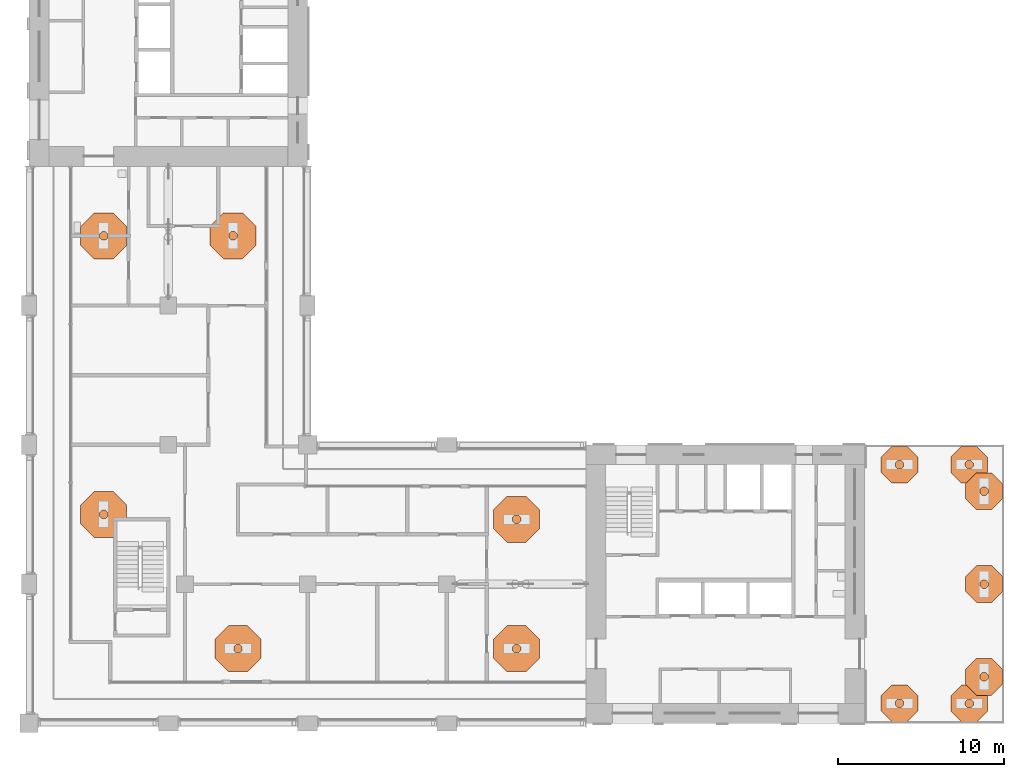
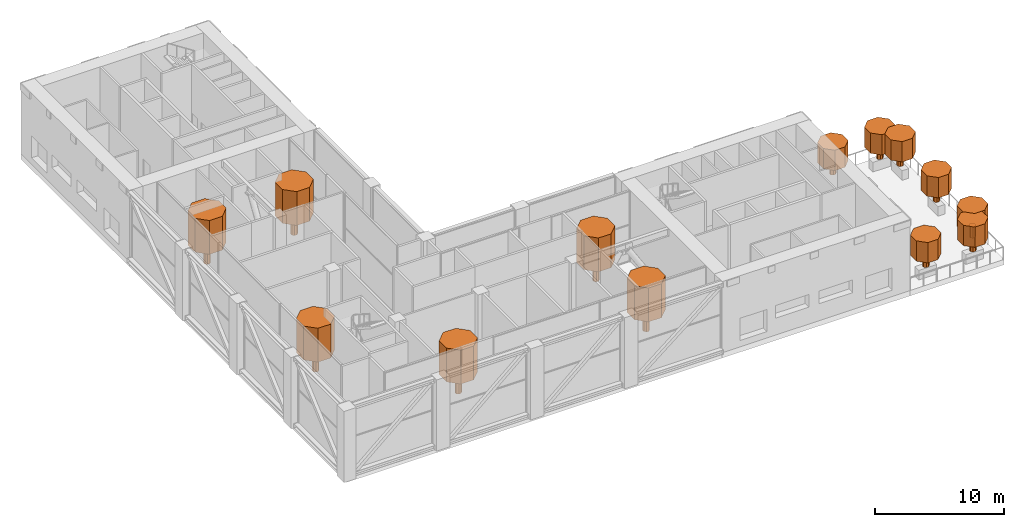
# One storey, part 20 of 20: 26 geographic elements.
"""IFC4 building model written with IfcOpenShell, lengths in metres."""

from ifc_helpers import new_model, si_unit, direction, frame, origin, place, context, subcontext, project, spatial, polyline, outline, extrude, material, element, save


model = new_model("IFC4")

# Units and contexts
model_context = context("Model", 3, precision=1e-05, world=origin(), true_north=direction((0.0, 1.0)))
body_context = subcontext(model_context, "Body", "Model", "MODEL_VIEW")
ifc_project = project(units=[si_unit("LENGTHUNIT", "METRE"), si_unit("AREAUNIT", "SQUARE_METRE"), si_unit("VOLUMEUNIT", "CUBIC_METRE"), si_unit("PLANEANGLEUNIT", "RADIAN"), si_unit("MASSUNIT", "GRAM", prefix="KILO")], contexts=[model_context])

# Site, building, storey
site_placement = place(None, origin())
site = spatial("IfcSite", under=ifc_project, at=site_placement, CompositionType="ELEMENT")
building_placement = place(site_placement, origin())
building = spatial("IfcBuilding", under=site, at=building_placement, Name="Vermilion Gate Residences", CompositionType="ELEMENT")
storey_placement = place(building_placement, frame((0.0, 0.0, 207.199951171875)))
storey = spatial("IfcBuildingStorey", under=building, at=storey_placement, Name="L54", CompositionType="ELEMENT", Elevation=207.199951171875)

# Geographic elements
ifc_material = material(Name="Foliage")
geographic_element_1_placement = place(storey_placement, frame((0.0, 0.0, 0.900146484375)))
element("IfcGeographicElement", 1, at=geographic_element_1_placement, inside=storey, material=ifc_material, Name="Tree (black pine)", ObjectType="TREE", PredefinedType="USERDEFINED", context=body_context, shape_type="SweptSolid", body=[
    extrude(outline(polyline([(65.35400390625, 24.105224609375), (65.205078125, 24.254150390625), (64.994873046875, 24.254150390625), (64.845947265625, 24.105224609375), (64.845947265625, 23.894775390625), (64.994873046875, 23.745849609375), (65.205078125, 23.745849609375), (65.35400390625, 23.894775390625), (65.35400390625, 24.105224609375)])), origin(), (0.0, 0.0, 1.0), 1.079833984375),
])
geographic_element_2_placement = place(storey_placement, frame((0.0, 0.0, 1.97998046875)))
element("IfcGeographicElement", 2, at=geographic_element_2_placement, inside=storey, material=ifc_material, Name="Tree crown (black pine)", ObjectType="TREE", PredefinedType="USERDEFINED", context=body_context, shape_type="SweptSolid", body=[
    extrude(outline(polyline([(66.208740234375, 24.459228515625), (65.55908203125, 25.108642578125), (64.640869140625, 25.108642578125), (63.9912109375, 24.459228515625), (63.9912109375, 23.540771484375), (64.640869140625, 22.891357421875), (65.55908203125, 22.891357421875), (66.208740234375, 23.540771484375), (66.208740234375, 24.459228515625)])), origin(), (0.0, 0.0, 1.0), 1.920166015625),
])
geographic_element_3_placement = place(storey_placement, frame((0.0, 0.0, 0.900146484375)))
element("IfcGeographicElement", 3, at=geographic_element_3_placement, inside=storey, material=ifc_material, Name="Tree (fringe tree)", ObjectType="TREE", PredefinedType="USERDEFINED", context=body_context, shape_type="SweptSolid", body=[
    extrude(outline(polyline([(61.154052734375, 24.105224609375), (61.005126953125, 24.254150390625), (60.794921875, 24.254150390625), (60.64599609375, 24.105224609375), (60.64599609375, 23.894775390625), (60.794921875, 23.745849609375), (61.005126953125, 23.745849609375), (61.154052734375, 23.894775390625), (61.154052734375, 24.105224609375)])), origin(), (0.0, 0.0, 1.0), 1.079833984375),
])
geographic_element_4_placement = place(storey_placement, frame((0.0, 0.0, 1.97998046875)))
element("IfcGeographicElement", 4, at=geographic_element_4_placement, inside=storey, material=ifc_material, Name="Tree crown (fringe tree)", ObjectType="TREE", PredefinedType="USERDEFINED", context=body_context, shape_type="SweptSolid", body=[
    extrude(outline(polyline([(62.0087890625, 24.459228515625), (61.359130859375, 25.108642578125), (60.44091796875, 25.108642578125), (59.791259765625, 24.459228515625), (59.791259765625, 23.540771484375), (60.44091796875, 22.891357421875), (61.359130859375, 22.891357421875), (62.0087890625, 23.540771484375), (62.0087890625, 24.459228515625)])), origin(), (0.0, 0.0, 1.0), 1.920166015625),
])
geographic_element_5_placement = place(storey_placement, frame((0.0, 0.0, 0.900146484375)))
element("IfcGeographicElement", 5, at=geographic_element_5_placement, inside=storey, material=ifc_material, Name="Tree (fringe tree)", ObjectType="TREE", PredefinedType="USERDEFINED", context=body_context, shape_type="SweptSolid", body=[
    extrude(outline(polyline([(61.154052734375, 9.705078125), (61.005126953125, 9.85400390625), (60.794921875, 9.85400390625), (60.64599609375, 9.705078125), (60.64599609375, 9.494873046875), (60.794921875, 9.345947265625), (61.005126953125, 9.345947265625), (61.154052734375, 9.494873046875), (61.154052734375, 9.705078125)])), origin(), (0.0, 0.0, 1.0), 1.079833984375),
])
geographic_element_6_placement = place(storey_placement, frame((0.0, 0.0, 1.97998046875)))
element("IfcGeographicElement", 6, at=geographic_element_6_placement, inside=storey, material=ifc_material, Name="Tree crown (fringe tree)", ObjectType="TREE", PredefinedType="USERDEFINED", context=body_context, shape_type="SweptSolid", body=[
    extrude(outline(polyline([(62.0087890625, 10.05908203125), (61.359130859375, 10.708740234375), (60.44091796875, 10.708740234375), (59.791259765625, 10.05908203125), (59.791259765625, 9.140869140625), (60.44091796875, 8.4912109375), (61.359130859375, 8.4912109375), (62.0087890625, 9.140869140625), (62.0087890625, 10.05908203125)])), origin(), (0.0, 0.0, 1.0), 1.920166015625),
])
geographic_element_7_placement = place(storey_placement, frame((0.0, 0.0, 0.900146484375)))
element("IfcGeographicElement", 7, at=geographic_element_7_placement, inside=storey, material=ifc_material, Name="Tree (maple)", ObjectType="TREE", PredefinedType="USERDEFINED", context=body_context, shape_type="SweptSolid", body=[
    extrude(outline(polyline([(65.35400390625, 9.705078125), (65.205078125, 9.85400390625), (64.994873046875, 9.85400390625), (64.845947265625, 9.705078125), (64.845947265625, 9.494873046875), (64.994873046875, 9.345947265625), (65.205078125, 9.345947265625), (65.35400390625, 9.494873046875), (65.35400390625, 9.705078125)])), origin(), (0.0, 0.0, 1.0), 1.079833984375),
])
geographic_element_8_placement = place(storey_placement, frame((0.0, 0.0, 1.97998046875)))
element("IfcGeographicElement", 8, at=geographic_element_8_placement, inside=storey, material=ifc_material, Name="Tree crown (maple)", ObjectType="TREE", PredefinedType="USERDEFINED", context=body_context, shape_type="SweptSolid", body=[
    extrude(outline(polyline([(66.208740234375, 10.05908203125), (65.55908203125, 10.708740234375), (64.640869140625, 10.708740234375), (63.9912109375, 10.05908203125), (63.9912109375, 9.140869140625), (64.640869140625, 8.4912109375), (65.55908203125, 8.4912109375), (66.208740234375, 9.140869140625), (66.208740234375, 10.05908203125)])), origin(), (0.0, 0.0, 1.0), 1.920166015625),
])
geographic_element_9_placement = place(storey_placement, frame((0.0, 0.0, 0.900146484375)))
element("IfcGeographicElement", 9, at=geographic_element_9_placement, inside=storey, material=ifc_material, Name="Tree (maple)", ObjectType="TREE", PredefinedType="USERDEFINED", context=body_context, shape_type="SweptSolid", body=[
    extrude(outline(polyline([(66.254150390625, 11.30517578125), (66.105224609375, 11.4541015625), (65.894775390625, 11.4541015625), (65.745849609375, 11.30517578125), (65.745849609375, 11.0947265625), (65.894775390625, 10.94580078125), (66.105224609375, 10.94580078125), (66.254150390625, 11.0947265625), (66.254150390625, 11.30517578125)])), origin(), (0.0, 0.0, 1.0), 1.079833984375),
])
geographic_element_10_placement = place(storey_placement, frame((0.0, 0.0, 1.97998046875)))
element("IfcGeographicElement", 10, at=geographic_element_10_placement, inside=storey, material=ifc_material, Name="Tree crown (maple)", ObjectType="TREE", PredefinedType="USERDEFINED", context=body_context, shape_type="SweptSolid", body=[
    extrude(outline(polyline([(67.108642578125, 11.6591796875), (66.459228515625, 12.30859375), (65.540771484375, 12.30859375), (64.891357421875, 11.6591796875), (64.891357421875, 10.74072265625), (65.540771484375, 10.09130859375), (66.459228515625, 10.09130859375), (67.108642578125, 10.74072265625), (67.108642578125, 11.6591796875)])), origin(), (0.0, 0.0, 1.0), 1.920166015625),
])
geographic_element_11_placement = place(storey_placement, frame((0.0, 0.0, 0.900146484375)))
element("IfcGeographicElement", 11, at=geographic_element_11_placement, inside=storey, material=ifc_material, Name="Tree (zelkova)", ObjectType="TREE", PredefinedType="USERDEFINED", context=body_context, shape_type="SweptSolid", body=[
    extrude(outline(polyline([(66.254150390625, 16.9052734375), (66.105224609375, 17.05419921875), (65.894775390625, 17.05419921875), (65.745849609375, 16.9052734375), (65.745849609375, 16.69482421875), (65.894775390625, 16.5458984375), (66.105224609375, 16.5458984375), (66.254150390625, 16.69482421875), (66.254150390625, 16.9052734375)])), origin(), (0.0, 0.0, 1.0), 1.079833984375),
])
geographic_element_12_placement = place(storey_placement, frame((0.0, 0.0, 1.97998046875)))
element("IfcGeographicElement", 12, at=geographic_element_12_placement, inside=storey, material=ifc_material, Name="Tree crown (zelkova)", ObjectType="TREE", PredefinedType="USERDEFINED", context=body_context, shape_type="SweptSolid", body=[
    extrude(outline(polyline([(67.108642578125, 17.25927734375), (66.459228515625, 17.90869140625), (65.540771484375, 17.90869140625), (64.891357421875, 17.25927734375), (64.891357421875, 16.3408203125), (65.540771484375, 15.69140625), (66.459228515625, 15.69140625), (67.108642578125, 16.3408203125), (67.108642578125, 17.25927734375)])), origin(), (0.0, 0.0, 1.0), 1.920166015625),
])
geographic_element_13_placement = place(storey_placement, frame((0.0, 0.0, 0.900146484375)))
element("IfcGeographicElement", 13, at=geographic_element_13_placement, inside=storey, material=ifc_material, Name="Tree (black pine)", ObjectType="TREE", PredefinedType="USERDEFINED", context=body_context, shape_type="SweptSolid", body=[
    extrude(outline(polyline([(66.254150390625, 22.505126953125), (66.105224609375, 22.654052734375), (65.894775390625, 22.654052734375), (65.745849609375, 22.505126953125), (65.745849609375, 22.294921875), (65.894775390625, 22.14599609375), (66.105224609375, 22.14599609375), (66.254150390625, 22.294921875), (66.254150390625, 22.505126953125)])), origin(), (0.0, 0.0, 1.0), 1.079833984375),
])
geographic_element_14_placement = place(storey_placement, frame((0.0, 0.0, 1.97998046875)))
element("IfcGeographicElement", 14, at=geographic_element_14_placement, inside=storey, material=ifc_material, Name="Tree crown (black pine)", ObjectType="TREE", PredefinedType="USERDEFINED", context=body_context, shape_type="SweptSolid", body=[
    extrude(outline(polyline([(67.108642578125, 22.859130859375), (66.459228515625, 23.5087890625), (65.540771484375, 23.5087890625), (64.891357421875, 22.859130859375), (64.891357421875, 21.94091796875), (65.540771484375, 21.291259765625), (66.459228515625, 21.291259765625), (67.108642578125, 21.94091796875), (67.108642578125, 22.859130859375)])), origin(), (0.0, 0.0, 1.0), 1.920166015625),
])
geographic_element_15_placement = place(storey_placement, frame((0.0, 0.0, 0.900146484375)))
element("IfcGeographicElement", 15, at=geographic_element_15_placement, inside=storey, material=ifc_material, Name="Tree (black pine)", ObjectType="TREE", PredefinedType="USERDEFINED", context=body_context, shape_type="SweptSolid", body=[
    extrude(outline(polyline([(13.154052734375, 21.105224609375), (13.005126953125, 21.254150390625), (12.794921875, 21.254150390625), (12.64599609375, 21.105224609375), (12.64599609375, 20.894775390625), (12.794921875, 20.745849609375), (13.005126953125, 20.745849609375), (13.154052734375, 20.894775390625), (13.154052734375, 21.105224609375)])), origin(), (0.0, 0.0, 1.0), 1.7998046875),
])
geographic_element_16_placement = place(storey_placement, frame((0.0, 0.0, 2.699951171875)))
element("IfcGeographicElement", 16, at=geographic_element_16_placement, inside=storey, material=ifc_material, Name="Tree crown (black pine)", ObjectType="TREE", PredefinedType="USERDEFINED", context=body_context, shape_type="SweptSolid", body=[
    extrude(outline(polyline([(14.285888671875, 21.573974609375), (13.47412109375, 22.3857421875), (12.325927734375, 22.3857421875), (11.51416015625, 21.573974609375), (11.51416015625, 20.426025390625), (12.325927734375, 19.6142578125), (13.47412109375, 19.6142578125), (14.285888671875, 20.426025390625), (14.285888671875, 21.573974609375)])), origin(), (0.0, 0.0, 1.0), 3.2001953125),
])
geographic_element_17_placement = place(storey_placement, frame((0.0, 0.0, 0.900146484375)))
element("IfcGeographicElement", 17, at=geographic_element_17_placement, inside=storey, material=ifc_material, Name="Tree (fringe tree)", ObjectType="TREE", PredefinedType="USERDEFINED", context=body_context, shape_type="SweptSolid", body=[
    extrude(outline(polyline([(13.154052734375, 37.9052734375), (13.005126953125, 38.05419921875), (12.794921875, 38.05419921875), (12.64599609375, 37.9052734375), (12.64599609375, 37.69482421875), (12.794921875, 37.5458984375), (13.005126953125, 37.5458984375), (13.154052734375, 37.69482421875), (13.154052734375, 37.9052734375)])), origin(), (0.0, 0.0, 1.0), 1.7998046875),
])
geographic_element_18_placement = place(storey_placement, frame((0.0, 0.0, 2.699951171875)))
element("IfcGeographicElement", 18, at=geographic_element_18_placement, inside=storey, material=ifc_material, Name="Tree crown (fringe tree)", ObjectType="TREE", PredefinedType="USERDEFINED", context=body_context, shape_type="SweptSolid", body=[
    extrude(outline(polyline([(14.285888671875, 38.3740234375), (13.47412109375, 39.185791015625), (12.325927734375, 39.185791015625), (11.51416015625, 38.3740234375), (11.51416015625, 37.22607421875), (12.325927734375, 36.414306640625), (13.47412109375, 36.414306640625), (14.285888671875, 37.22607421875), (14.285888671875, 38.3740234375)])), origin(), (0.0, 0.0, 1.0), 3.2001953125),
])
geographic_element_19_placement = place(storey_placement, frame((0.0, 0.0, 0.900146484375)))
element("IfcGeographicElement", 19, at=geographic_element_19_placement, inside=storey, material=ifc_material, Name="Tree (maple)", ObjectType="TREE", PredefinedType="USERDEFINED", context=body_context, shape_type="SweptSolid", body=[
    extrude(outline(polyline([(21.254150390625, 13.005126953125), (21.105224609375, 13.154052734375), (20.894775390625, 13.154052734375), (20.745849609375, 13.005126953125), (20.745849609375, 12.794921875), (20.894775390625, 12.64599609375), (21.105224609375, 12.64599609375), (21.254150390625, 12.794921875), (21.254150390625, 13.005126953125)])), origin(), (0.0, 0.0, 1.0), 1.7998046875),
])
geographic_element_20_placement = place(storey_placement, frame((0.0, 0.0, 2.699951171875)))
element("IfcGeographicElement", 20, at=geographic_element_20_placement, inside=storey, material=ifc_material, Name="Tree crown (maple)", ObjectType="TREE", PredefinedType="USERDEFINED", context=body_context, shape_type="SweptSolid", body=[
    extrude(outline(polyline([(22.3857421875, 13.47412109375), (21.573974609375, 14.285888671875), (20.426025390625, 14.285888671875), (19.6142578125, 13.47412109375), (19.6142578125, 12.325927734375), (20.426025390625, 11.51416015625), (21.573974609375, 11.51416015625), (22.3857421875, 12.325927734375), (22.3857421875, 13.47412109375)])), origin(), (0.0, 0.0, 1.0), 3.2001953125),
])
geographic_element_21_placement = place(storey_placement, frame((0.0, 0.0, 0.900146484375)))
element("IfcGeographicElement", 21, at=geographic_element_21_placement, inside=storey, material=ifc_material, Name="Tree (zelkova)", ObjectType="TREE", PredefinedType="USERDEFINED", context=body_context, shape_type="SweptSolid", body=[
    extrude(outline(polyline([(38.05419921875, 13.005126953125), (37.9052734375, 13.154052734375), (37.69482421875, 13.154052734375), (37.5458984375, 13.005126953125), (37.5458984375, 12.794921875), (37.69482421875, 12.64599609375), (37.9052734375, 12.64599609375), (38.05419921875, 12.794921875), (38.05419921875, 13.005126953125)])), origin(), (0.0, 0.0, 1.0), 1.7998046875),
])
geographic_element_22_placement = place(storey_placement, frame((0.0, 0.0, 2.699951171875)))
element("IfcGeographicElement", 22, at=geographic_element_22_placement, inside=storey, material=ifc_material, Name="Tree crown (zelkova)", ObjectType="TREE", PredefinedType="USERDEFINED", context=body_context, shape_type="SweptSolid", body=[
    extrude(outline(polyline([(39.185791015625, 13.47412109375), (38.3740234375, 14.285888671875), (37.22607421875, 14.285888671875), (36.414306640625, 13.47412109375), (36.414306640625, 12.325927734375), (37.22607421875, 11.51416015625), (38.3740234375, 11.51416015625), (39.185791015625, 12.325927734375), (39.185791015625, 13.47412109375)])), origin(), (0.0, 0.0, 1.0), 3.2001953125),
])
geographic_element_23_placement = place(storey_placement, frame((0.0, 0.0, 0.900146484375)))
element("IfcGeographicElement", 23, at=geographic_element_23_placement, inside=storey, material=ifc_material, Name="Tree (black pine)", ObjectType="TREE", PredefinedType="USERDEFINED", context=body_context, shape_type="SweptSolid", body=[
    extrude(outline(polyline([(38.05419921875, 20.80517578125), (37.9052734375, 20.9541015625), (37.69482421875, 20.9541015625), (37.5458984375, 20.80517578125), (37.5458984375, 20.5947265625), (37.69482421875, 20.44580078125), (37.9052734375, 20.44580078125), (38.05419921875, 20.5947265625), (38.05419921875, 20.80517578125)])), origin(), (0.0, 0.0, 1.0), 1.7998046875),
])
geographic_element_24_placement = place(storey_placement, frame((0.0, 0.0, 2.699951171875)))
element("IfcGeographicElement", 24, at=geographic_element_24_placement, inside=storey, material=ifc_material, Name="Tree crown (black pine)", ObjectType="TREE", PredefinedType="USERDEFINED", context=body_context, shape_type="SweptSolid", body=[
    extrude(outline(polyline([(39.185791015625, 21.27392578125), (38.3740234375, 22.085693359375), (37.22607421875, 22.085693359375), (36.414306640625, 21.27392578125), (36.414306640625, 20.1259765625), (37.22607421875, 19.314208984375), (38.3740234375, 19.314208984375), (39.185791015625, 20.1259765625), (39.185791015625, 21.27392578125)])), origin(), (0.0, 0.0, 1.0), 3.2001953125),
])
geographic_element_25_placement = place(storey_placement, frame((0.0, 0.0, 0.900146484375)))
element("IfcGeographicElement", 25, at=geographic_element_25_placement, inside=storey, material=ifc_material, Name="Tree (fringe tree)", ObjectType="TREE", PredefinedType="USERDEFINED", context=body_context, shape_type="SweptSolid", body=[
    extrude(outline(polyline([(20.9541015625, 37.9052734375), (20.80517578125, 38.05419921875), (20.5947265625, 38.05419921875), (20.44580078125, 37.9052734375), (20.44580078125, 37.69482421875), (20.5947265625, 37.5458984375), (20.80517578125, 37.5458984375), (20.9541015625, 37.69482421875), (20.9541015625, 37.9052734375)])), origin(), (0.0, 0.0, 1.0), 1.7998046875),
])
geographic_element_26_placement = place(storey_placement, frame((0.0, 0.0, 2.699951171875)))
element("IfcGeographicElement", 26, at=geographic_element_26_placement, inside=storey, material=ifc_material, Name="Tree crown (fringe tree)", ObjectType="TREE", PredefinedType="USERDEFINED", context=body_context, shape_type="SweptSolid", body=[
    extrude(outline(polyline([(22.085693359375, 38.3740234375), (21.27392578125, 39.185791015625), (20.1259765625, 39.185791015625), (19.314208984375, 38.3740234375), (19.314208984375, 37.22607421875), (20.1259765625, 36.414306640625), (21.27392578125, 36.414306640625), (22.085693359375, 37.22607421875), (22.085693359375, 38.3740234375)])), origin(), (0.0, 0.0, 1.0), 3.2001953125),
])

save(model, "model.ifc")
